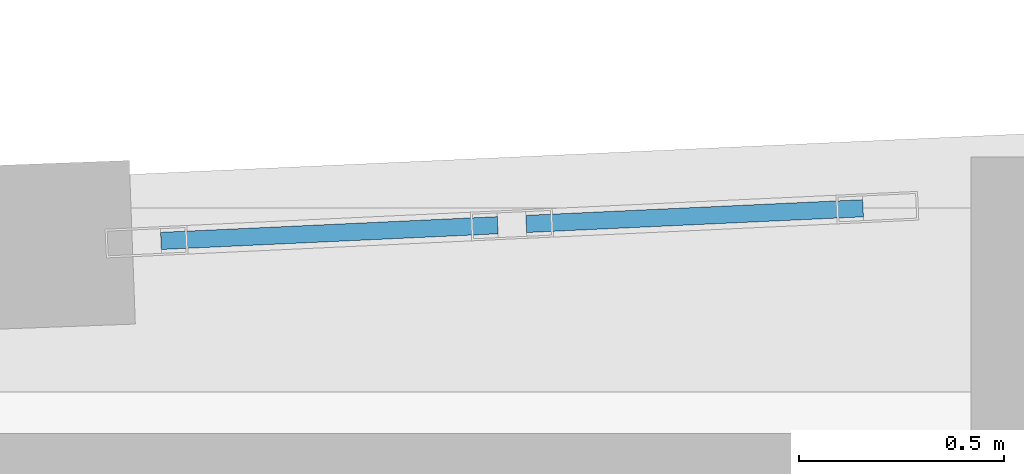
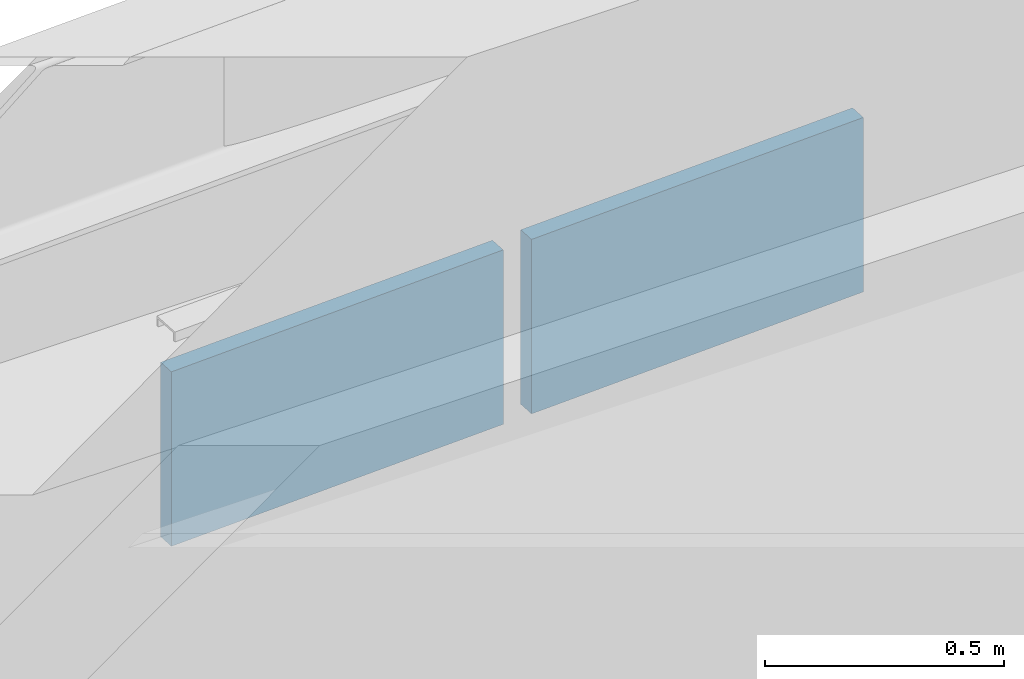
# One storey, part 81 of 117: 2 plates, 1 element without a shape of its own.
"""IFC4 building model written with IfcOpenShell, lengths in metres."""

from ifc_helpers import new_model, si_unit, direction, frame, origin, origin_2d, place, context, subcontext, project, spatial, rectangle, extrude, material, layer, layer_set, type_object, element, aggregate, save


model = new_model("IFC4")

# Units and contexts
model_context = context("Model", 3, precision=1e-05, world=origin(), true_north=direction((0.0, 1.0)))
body_context = subcontext(model_context, "Body", "Model", "MODEL_VIEW")
ifc_project = project(units=[si_unit("LENGTHUNIT", "METRE"), si_unit("AREAUNIT", "SQUARE_METRE"), si_unit("VOLUMEUNIT", "CUBIC_METRE"), si_unit("PLANEANGLEUNIT", "RADIAN"), si_unit("MASSUNIT", "GRAM", prefix="KILO")], contexts=[model_context])

# Site, building, storey
site_placement = place(None, origin())
site = spatial("IfcSite", under=ifc_project, at=site_placement, CompositionType="ELEMENT")
building_placement = place(site_placement, origin())
building = spatial("IfcBuilding", under=site, at=building_placement, Name="Carrowvane Square Congress Hotel", CompositionType="ELEMENT")
storey_placement = place(building_placement, frame((0.0, 0.0, 5.39990234375)))
storey = spatial("IfcBuildingStorey", under=building, at=storey_placement, Name="L01", CompositionType="ELEMENT", Elevation=5.39990234375)

# Curtain wall, plates
ifc_material_1 = material(Name="Anodised aluminium", Category="aluminium")
ifc_layer_1 = layer(ifc_material_1, 0.24609375)
ifc_layer_set_1 = layer_set([ifc_layer_1], Name="Anodised aluminium")
curtain_wall_type = type_object("IfcCurtainWallType", Name="CW-SYS-8", PredefinedType="NOTDEFINED", material=ifc_layer_set_1)
curtain_wall_placement = place(storey_placement, origin())
curtain_wall = element("IfcCurtainWall", 1, at=curtain_wall_placement, inside=storey, type_object=curtain_wall_type, Name="L01 unitised curtain wall 63", PredefinedType="NOTDEFINED")
ifc_material_2 = material(Name="Double-glazed low-E glass", Category="glass")
ifc_layer_2 = layer(ifc_material_2, 0.0419921875)
ifc_layer_set_2 = layer_set([ifc_layer_2], Name="Double-glazed low-E glass")
plate_type = type_object("IfcPlateType", Name="CW-PAN-4", PredefinedType="CURTAIN_PANEL", material=ifc_layer_set_2)
plate_1_placement = place(storey_placement, frame((38.4814453125, 113.5634765625, 3.5), z_axis=(0.0, 0.0, 1.0), x_axis=(0.998917498926, 0.04651698979, 0.0)))
plate_1 = element("IfcPlate", 2, at=plate_1_placement, type_object=plate_type, Name="CW-8 panel 1.3", PredefinedType="CURTAIN_PANEL", context=body_context, shape_type="SweptSolid", body=[
    extrude(rectangle(XDim=0.82373046875, YDim=0.0419921875, at=origin_2d()), origin(), (0.0, 0.0, 1.0), 0.445068359375),
])
plate_2_placement = place(storey_placement, frame((39.374267578125, 113.60498046875, 3.5), z_axis=(0.0, 0.0, 1.0), x_axis=(0.998917498926, 0.04651698979, 0.0)))
plate_2 = element("IfcPlate", 3, at=plate_2_placement, type_object=plate_type, Name="CW-8 panel 2.3", PredefinedType="CURTAIN_PANEL", context=body_context, shape_type="SweptSolid", body=[
    extrude(rectangle(XDim=0.82373046875, YDim=0.0419921875, at=origin_2d()), origin(), (0.0, 0.0, 1.0), 0.445068359375),
])
aggregate(curtain_wall, [plate_1, plate_2])

save(model, "model.ifc")
